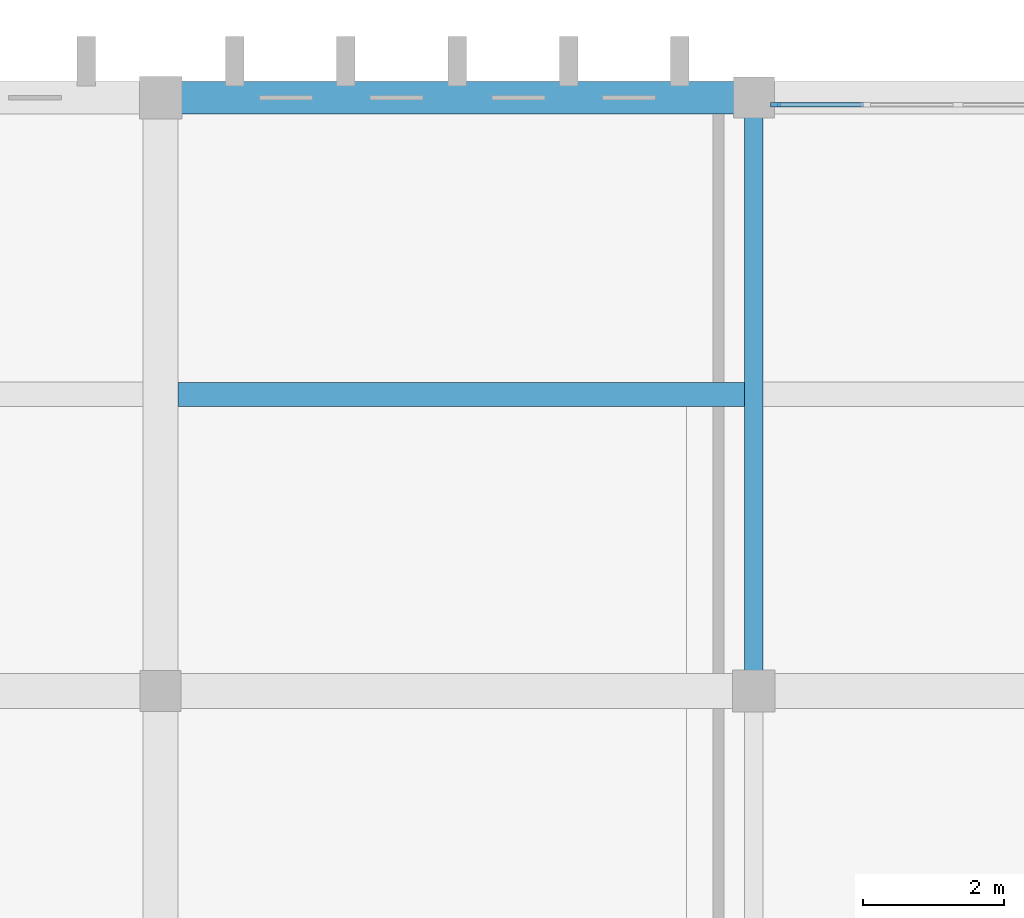
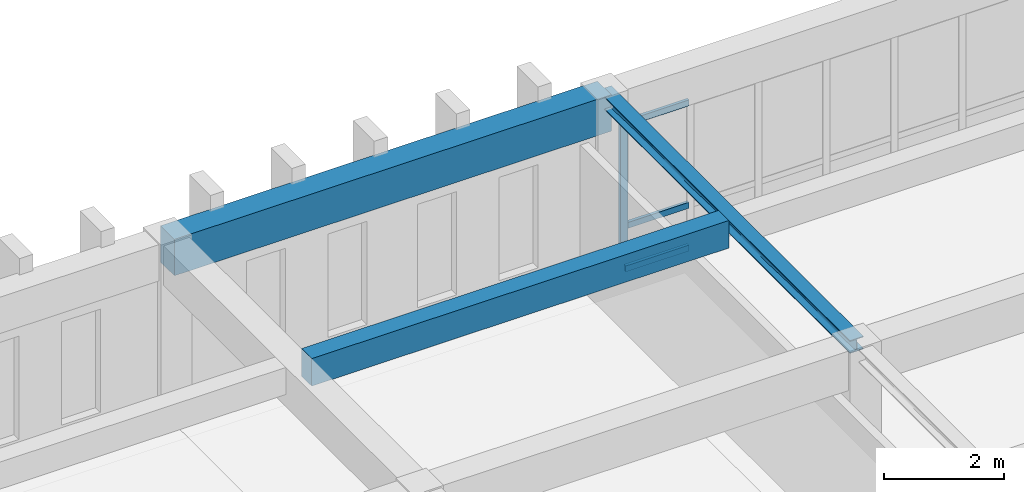
# One storey, part 43 of 110: 4 members, 3 beams, 1 element without a shape of its own.
"""IFC4 building model written with IfcOpenShell, lengths in metres."""

from ifc_helpers import new_model, si_unit, direction, frame, origin, origin_2d, place, context, subcontext, project, spatial, rectangle, i_section, extrude, material, layer, layer_set, material_profile, profile_set, type_object, element, aggregate, save


model = new_model("IFC4")

# Units and contexts
model_context = context("Model", 3, precision=1e-05, world=origin(), true_north=direction((0.0, 1.0)))
body_context = subcontext(model_context, "Body", "Model", "MODEL_VIEW")
ifc_project = project(units=[si_unit("LENGTHUNIT", "METRE"), si_unit("AREAUNIT", "SQUARE_METRE"), si_unit("VOLUMEUNIT", "CUBIC_METRE"), si_unit("PLANEANGLEUNIT", "RADIAN"), si_unit("MASSUNIT", "GRAM", prefix="KILO")], contexts=[model_context])

# Site, building, storey
site_placement = place(None, origin())
site = spatial("IfcSite", under=ifc_project, at=site_placement, CompositionType="ELEMENT")
building_placement = place(site_placement, origin())
building = spatial("IfcBuilding", under=site, at=building_placement, Name="Kveldsbrygga Polytechnic", CompositionType="ELEMENT")
storey_placement = place(building_placement, frame((0.0, 0.0, 9.860107421875)))
storey = spatial("IfcBuildingStorey", under=building, at=storey_placement, Name="L02", CompositionType="ELEMENT", Elevation=9.860107421875)

# Beams
ifc_material_1 = material(Name="Concrete C35/45", Category="concrete")
ifc_material_profile_1 = material_profile(ifc_material_1, rectangle(XDim=0.4599609375, YDim=0.739990234375, at=origin_2d()), Name="RC 460x740")
ifc_profile_set_1 = profile_set([ifc_material_profile_1], Name="Concrete C35/45")
beam_type_1 = type_object("IfcBeamType", Name="BM-RC-460x740", PredefinedType="BEAM", material=ifc_profile_set_1)
beam_1_placement = place(storey_placement, frame((117.60009765625, 117.60009765625, 3.3798828125), z_axis=(1.0, 0.0, 0.0), x_axis=(0.0, 1.0, 0.0)))
element("IfcBeam", 1, at=beam_1_placement, inside=storey, type_object=beam_type_1, Name="Primary Beam BMX-L02-14to15-14", PredefinedType="BEAM", context=body_context, shape_type="SweptSolid", body=[
    extrude(rectangle(XDim=0.4599609375, YDim=0.739990234375, at=origin_2d()), origin(), (0.0, 0.0, 1.0), 8.39990234375),
])
ifc_material_2 = material(Name="Steel S355", Category="steel")
ifc_material_profile_2 = material_profile(ifc_material_2, i_section(OverallWidth=0.260009765625, OverallDepth=0.260009765625, WebThickness=0.010009765625, FlangeThickness=0.017578125, FilletRadius=0.02392578125, at=origin_2d()), Name="HEB 260")
ifc_profile_set_2 = profile_set([ifc_material_profile_2], Name="Steel S355")
beam_type_2 = type_object("IfcBeamType", Name="BM-STL-HEB260", PredefinedType="BEAM", material=ifc_profile_set_2)
beam_2_placement = place(storey_placement, frame((126.0, 109.199951171875, 3.619873046875), z_axis=(0.0, 1.0, 0.0), x_axis=(-1.0, 0.0, 0.0)))
element("IfcBeam", 2, at=beam_2_placement, inside=storey, type_object=beam_type_2, Name="Primary Beam BMY-L02-15-13to14", PredefinedType="BEAM", context=body_context, shape_type="SweptSolid", body=[
    extrude(i_section(OverallWidth=0.260009765625, OverallDepth=0.260009765625, WebThickness=0.010009765625, FlangeThickness=0.017578125, FilletRadius=0.02392578125, at=origin_2d()), origin(), (0.0, 0.0, 1.0), 8.400146484375),
])

# Curtain wall, members
ifc_material_3 = material(Name="Anodised aluminium AW-6060", Category="aluminium")
ifc_layer = layer(ifc_material_3, 0.179931640625)
ifc_layer_set = layer_set([ifc_layer], Name="Anodised aluminium AW-6060")
curtain_wall_type = type_object("IfcCurtainWallType", Name="CW-CONC-A", PredefinedType="USERDEFINED", material=ifc_layer_set)
curtain_wall_placement = place(storey_placement, origin())
curtain_wall = element("IfcCurtainWall", 3, at=curtain_wall_placement, inside=storey, type_object=curtain_wall_type, Name="Curtain Wall CW-L02-X-15-14", ObjectType="UNITISED CURTAIN WALL", PredefinedType="USERDEFINED")
ifc_material_profile_3 = material_profile(ifc_material_3, rectangle(XDim=0.06005859375, YDim=0.139892578125, at=origin_2d()), Name="ALU 60x140")
ifc_profile_set_3 = profile_set([ifc_material_profile_3], Name="Anodised aluminium AW-6060")
member_type_1 = type_object("IfcMemberType", Name="CW-MUL-140", PredefinedType="MULLION", material=ifc_profile_set_3)
member_1_placement = place(storey_placement, frame((126.304931640625, 117.5, 0.0), z_axis=(0.0, 0.0, 1.0), x_axis=(0.0, 1.0, 0.0)))
member_1 = element("IfcMember", 4, at=member_1_placement, type_object=member_type_1, Name="CW-01 mullion 1", PredefinedType="MULLION", context=body_context, shape_type="SweptSolid", body=[
    extrude(rectangle(XDim=0.06005859375, YDim=0.139892578125, at=origin_2d()), origin(), (0.0, 0.0, 1.0), 3.010009765625),
])
ifc_material_profile_4 = material_profile(ifc_material_3, rectangle(XDim=0.06005859375, YDim=0.1201171875, at=origin_2d()), Name="ALU 60x120")
ifc_profile_set_4 = profile_set([ifc_material_profile_4], Name="Anodised aluminium AW-6060")
member_type_2 = type_object("IfcMemberType", Name="CW-TRN-120", PredefinedType="USERDEFINED", material=ifc_profile_set_4)
member_2_placement = place(storey_placement, frame((126.3349609375, 117.5, 0.02978515625), z_axis=(1.0, 0.0, 0.0), x_axis=(0.0, 1.0, 0.0)))
member_2 = element("IfcMember", 5, at=member_2_placement, type_object=member_type_2, Name="CW-01 transom 1.1", ObjectType="TRANSOM", PredefinedType="USERDEFINED", context=body_context, shape_type="SweptSolid", body=[
    extrude(rectangle(XDim=0.06005859375, YDim=0.1201171875, at=origin_2d()), origin(), (0.0, 0.0, 1.0), 1.216796875),
])
member_3_placement = place(storey_placement, frame((126.3349609375, 117.5, 0.89990234375), z_axis=(1.0, 0.0, 0.0), x_axis=(0.0, 1.0, 0.0)))
member_3 = element("IfcMember", 6, at=member_3_placement, type_object=member_type_2, Name="CW-01 transom 1.2", ObjectType="TRANSOM", PredefinedType="USERDEFINED", context=body_context, shape_type="SweptSolid", body=[
    extrude(rectangle(XDim=0.06005859375, YDim=0.1201171875, at=origin_2d()), origin(), (0.0, 0.0, 1.0), 1.216796875),
])
member_4_placement = place(storey_placement, frame((126.3349609375, 117.5, 2.97998046875), z_axis=(1.0, 0.0, 0.0), x_axis=(0.0, 1.0, 0.0)))
member_4 = element("IfcMember", 7, at=member_4_placement, type_object=member_type_2, Name="CW-01 transom 1.3", ObjectType="TRANSOM", PredefinedType="USERDEFINED", context=body_context, shape_type="SweptSolid", body=[
    extrude(rectangle(XDim=0.06005859375, YDim=0.1201171875, at=origin_2d()), origin(), (0.0, 0.0, 1.0), 1.216796875),
])
aggregate(curtain_wall, [member_1, member_2, member_3, member_4])

# Beam
ifc_material_profile_5 = material_profile(ifc_material_1, rectangle(XDim=0.340087890625, YDim=0.56005859375, at=origin_2d()), Name="RC 340x560")
ifc_profile_set_5 = profile_set([ifc_material_profile_5], Name="Concrete C35/45")
beam_type_3 = type_object("IfcBeamType", Name="JST-RC-340x560", PredefinedType="JOIST", material=ifc_profile_set_5)
beam_3_placement = place(storey_placement, frame((117.85009765625, 113.39990234375, 3.469970703125), z_axis=(1.0, 0.0, 0.0), x_axis=(0.0, 1.0, 0.0)))
element("IfcBeam", 8, at=beam_3_placement, inside=storey, type_object=beam_type_3, Name="Secondary Joist JST-L02-14-13", PredefinedType="JOIST", context=body_context, shape_type="SweptSolid", body=[
    extrude(rectangle(XDim=0.340087890625, YDim=0.56005859375, at=origin_2d()), origin(), (0.0, 0.0, 1.0), 8.02001953125),
])

save(model, "model.ifc")
